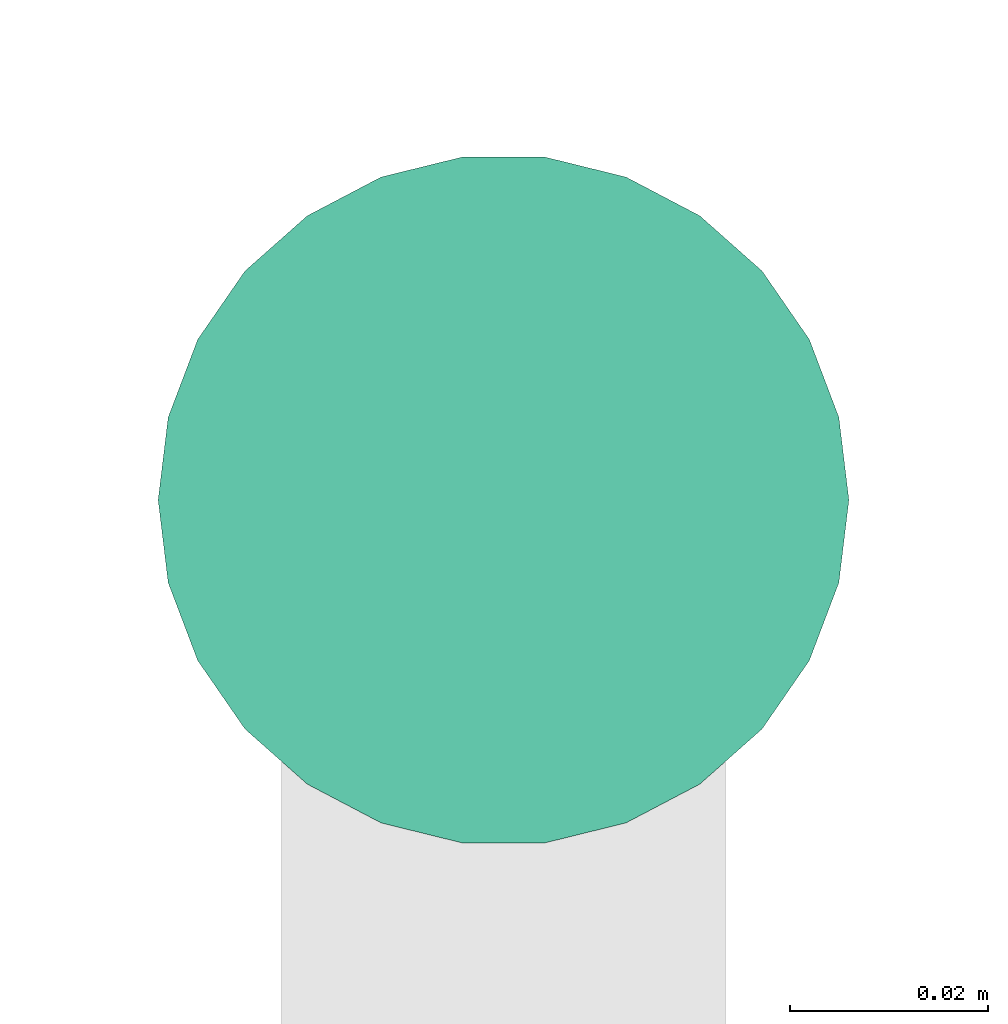
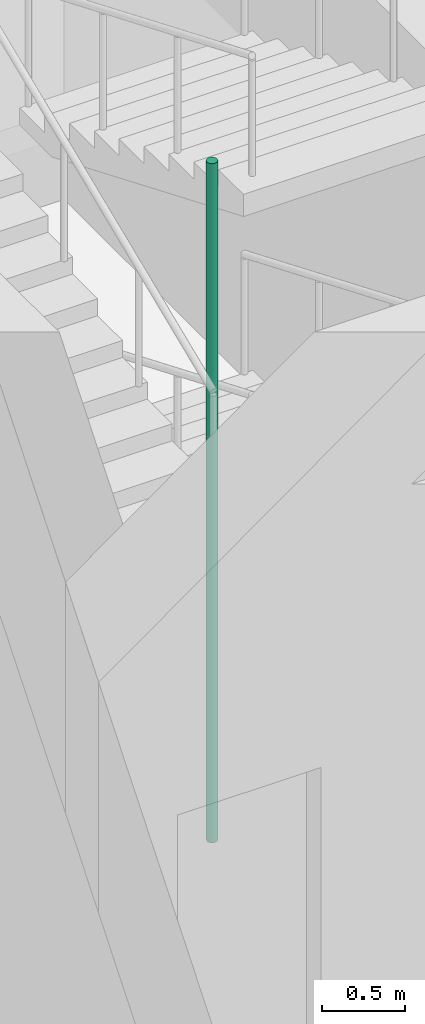
# One storey, part 19 of 31: 1 pipe segment.
"""IFC4 building model written with IfcOpenShell, lengths in metres."""

from ifc_helpers import new_model, si_unit, direction, frame, origin, origin_2d, place, context, subcontext, project, spatial, circle, extrude, element, save


model = new_model("IFC4")

# Units and contexts
model_context = context("Model", 3, precision=1e-05, world=origin(), true_north=direction((0.0, 1.0)))
body_context = subcontext(model_context, "Body", "Model", "MODEL_VIEW")
ifc_project = project(units=[si_unit("LENGTHUNIT", "METRE"), si_unit("AREAUNIT", "SQUARE_METRE"), si_unit("VOLUMEUNIT", "CUBIC_METRE"), si_unit("PLANEANGLEUNIT", "RADIAN"), si_unit("MASSUNIT", "GRAM", prefix="KILO")], contexts=[model_context])

# Site, building, storey
site_placement = place(None, origin())
site = spatial("IfcSite", under=ifc_project, at=site_placement, CompositionType="ELEMENT")
building_placement = place(site_placement, origin())
building = spatial("IfcBuilding", under=site, at=building_placement, Name="Nzadi Deep Aquarium and Research Tower", CompositionType="ELEMENT")
storey_placement = place(building_placement, frame((0.0, 0.0, 21.699951171875)))
storey = spatial("IfcBuildingStorey", under=building, at=storey_placement, Name="L03", CompositionType="ELEMENT", Elevation=21.699951171875)

# Pipe segment
pipe_segment_placement = place(storey_placement, frame((2.300048828125, 12.320068359375, 0.0), z_axis=(0.0, 0.0, 1.0), x_axis=(1.0, 0.0, 0.0)))
element("IfcPipeSegment", 1, at=pipe_segment_placement, inside=storey, Name="Dry riser ST-Z1-SW L03", PredefinedType="RIGIDSEGMENT", context=body_context, shape_type="SweptSolid", body=[
    extrude(circle(Radius=0.034912109375, at=origin_2d()), origin(), (0.0, 0.0, 1.0), 5.0),
])

save(model, "model.ifc")
